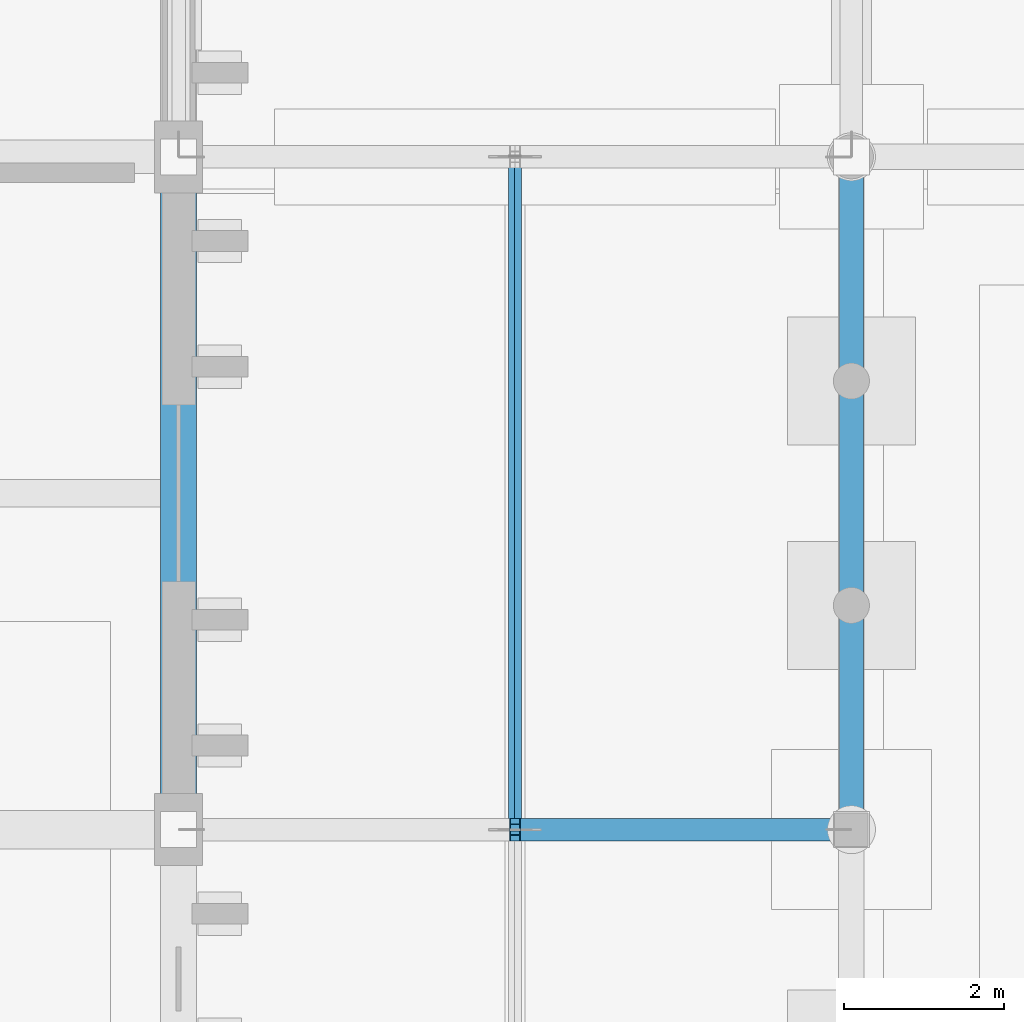
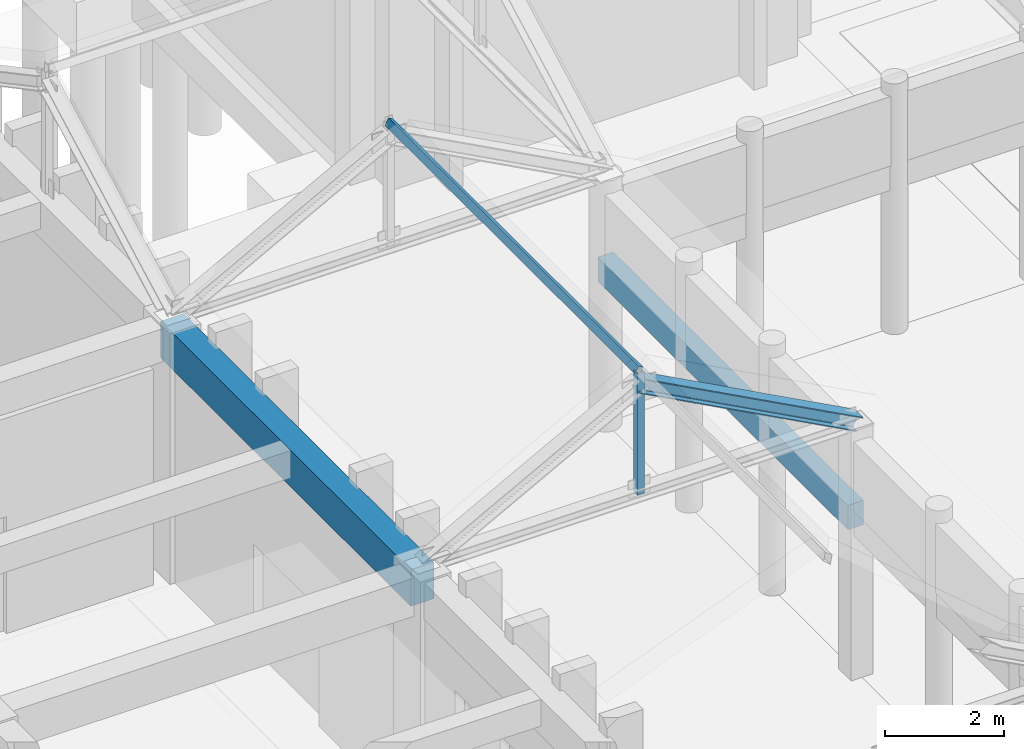
# One storey, part 49 of 143: 3 members, 2 beams.
"""IFC4 building model written with IfcOpenShell, lengths in metres."""

from ifc_helpers import new_model, si_unit, direction, frame, origin, origin_2d, place, context, subcontext, project, spatial, rectangle, hollow_rectangle, i_section, extrude, material, material_profile, profile_set, type_object, element, save


model = new_model("IFC4")

# Units and contexts
model_context = context("Model", 3, precision=1e-05, world=origin(), true_north=direction((0.0, 1.0)))
body_context = subcontext(model_context, "Body", "Model", "MODEL_VIEW")
ifc_project = project(units=[si_unit("LENGTHUNIT", "METRE"), si_unit("AREAUNIT", "SQUARE_METRE"), si_unit("VOLUMEUNIT", "CUBIC_METRE"), si_unit("PLANEANGLEUNIT", "RADIAN"), si_unit("MASSUNIT", "GRAM", prefix="KILO")], contexts=[model_context])

# Site, building, storey
site_placement = place(None, origin())
site = spatial("IfcSite", under=ifc_project, at=site_placement, CompositionType="ELEMENT")
building_placement = place(site_placement, origin())
building = spatial("IfcBuilding", under=site, at=building_placement, Name="Kveldsbrygga Polytechnic", CompositionType="ELEMENT")
storey_placement = place(building_placement, origin())
storey = spatial("IfcBuildingStorey", under=building, at=storey_placement, Name="L00", CompositionType="ELEMENT", Elevation=0.0)

# Beams
ifc_material_1 = material(Name="Concrete C35/45", Category="concrete")
ifc_material_profile_1 = material_profile(ifc_material_1, rectangle(XDim=0.449951171875, YDim=0.75, at=origin_2d()), Name="RC 450x750")
ifc_profile_set_1 = profile_set([ifc_material_profile_1], Name="Concrete C35/45")
beam_type_1 = type_object("IfcBeamType", Name="BM-RC-450x750", PredefinedType="BEAM", material=ifc_profile_set_1)
beam_1_placement = place(storey_placement, frame((33.60009765625, 67.199951171875, 4.72509765625), z_axis=(0.0, 1.0, 0.0), x_axis=(-1.0, 0.0, 0.0)))
element("IfcBeam", 1, at=beam_1_placement, inside=storey, type_object=beam_type_1, Name="Primary Beam BMY-L00-04-08to09", PredefinedType="BEAM", context=body_context, shape_type="SweptSolid", body=[
    extrude(rectangle(XDim=0.449951171875, YDim=0.75, at=origin_2d()), origin(), (0.0, 0.0, 1.0), 8.400146484375),
])
ifc_material_profile_2 = material_profile(ifc_material_1, rectangle(XDim=0.300048828125, YDim=0.5, at=origin_2d()), Name="RC 300x500")
ifc_profile_set_2 = profile_set([ifc_material_profile_2], Name="Concrete C35/45")
beam_type_2 = type_object("IfcBeamType", Name="LNT-RC-300x500", PredefinedType="LINTEL", material=ifc_profile_set_2)
beam_2_placement = place(storey_placement, frame((42.0, 67.199951171875, 3.199951171875), z_axis=(0.0, 1.0, 0.0), x_axis=(-1.0, 0.0, 0.0)))
element("IfcBeam", 2, at=beam_2_placement, inside=storey, type_object=beam_type_2, Name="Cloister Arcade Arch Lintel Beam BM-ARC-HDR-07", PredefinedType="LINTEL", context=body_context, shape_type="SweptSolid", body=[
    extrude(rectangle(XDim=0.300048828125, YDim=0.5, at=origin_2d()), origin(), (0.0, 0.0, 1.0), 8.400146484375),
])

# Members
ifc_material_2 = material(Name="Steel S355", Category="steel")
ifc_material_profile_3 = material_profile(ifc_material_2, hollow_rectangle(XDim=0.10009765625, YDim=0.14990234375, WallThickness=0.008056640625, at=origin_2d()), Name="RHS 150x100x8.0")
ifc_profile_set_3 = profile_set([ifc_material_profile_3], Name="Steel S355")
member_type_1 = type_object("IfcMemberType", Name="PRL-RHS150", PredefinedType="PURLIN", material=ifc_profile_set_3)
member_1_placement = place(storey_placement, frame((37.800048828125, 67.199951171875, 7.6337890625), z_axis=(0.0, 1.0, 0.0), x_axis=(-0.881479888517, 0.0, 0.472221564671)))
element("IfcMember", 3, at=member_1_placement, inside=storey, type_object=member_type_1, Name="Roof Purlin ARC-WW-PRL-5-1", PredefinedType="PURLIN", context=body_context, shape_type="SweptSolid", body=[
    extrude(hollow_rectangle(XDim=0.10009765625, YDim=0.14990234375, WallThickness=0.008056640625, at=origin_2d()), origin(), (0.0, 0.0, 1.0), 8.400146484375),
])
ifc_material_profile_4 = material_profile(ifc_material_2, hollow_rectangle(XDim=0.139892578125, YDim=0.139892578125, WallThickness=0.008056640625, at=origin_2d()), Name="SHS 140x140x8.0")
ifc_profile_set_4 = profile_set([ifc_material_profile_4], Name="Steel S355")
member_type_2 = type_object("IfcMemberType", Name="TR-POST-SHS140", PredefinedType="STRUT", material=ifc_profile_set_4)
member_2_placement = place(storey_placement, frame((37.800048828125, 67.199951171875, 5.139892578125), z_axis=(0.0, 0.0, 1.0), x_axis=(1.0, 0.0, 0.0)))
element("IfcMember", 4, at=member_2_placement, inside=storey, type_object=member_type_2, Name="Truss Vertical ARC-WW-T05-VT-1", PredefinedType="STRUT", context=body_context, shape_type="SweptSolid", body=[
    extrude(hollow_rectangle(XDim=0.139892578125, YDim=0.139892578125, WallThickness=0.008056640625, at=origin_2d()), origin(), (0.0, 0.0, 1.0), 2.493896484375),
])
ifc_material_profile_5 = material_profile(ifc_material_2, i_section(OverallWidth=0.280029296875, OverallDepth=0.280029296875, WebThickness=0.010498046875, FlangeThickness=0.01806640625, FilletRadius=0.02392578125, at=origin_2d()), Name="HEB 280")
ifc_profile_set_5 = profile_set([ifc_material_profile_5], Name="Steel S355")
member_type_3 = type_object("IfcMemberType", Name="TR-TOP-HEB280", PredefinedType="CHORD", material=ifc_profile_set_5)
member_3_placement = place(storey_placement, frame((37.800048828125, 67.199951171875, 7.389892578125), z_axis=(0.881477684796, 0.0, -0.472225678258), x_axis=(0.0, 1.0, 0.0)))
element("IfcMember", 5, at=member_3_placement, inside=storey, type_object=member_type_3, Name="Truss Top Chord ARC-WW-T05-TC-2", PredefinedType="CHORD", context=body_context, shape_type="SweptSolid", body=[
    extrude(i_section(OverallWidth=0.280029296875, OverallDepth=0.280029296875, WebThickness=0.010498046875, FlangeThickness=0.01806640625, FilletRadius=0.02392578125, at=origin_2d()), origin(), (0.0, 0.0, 1.0), 4.7646484375),
])

save(model, "model.ifc")
